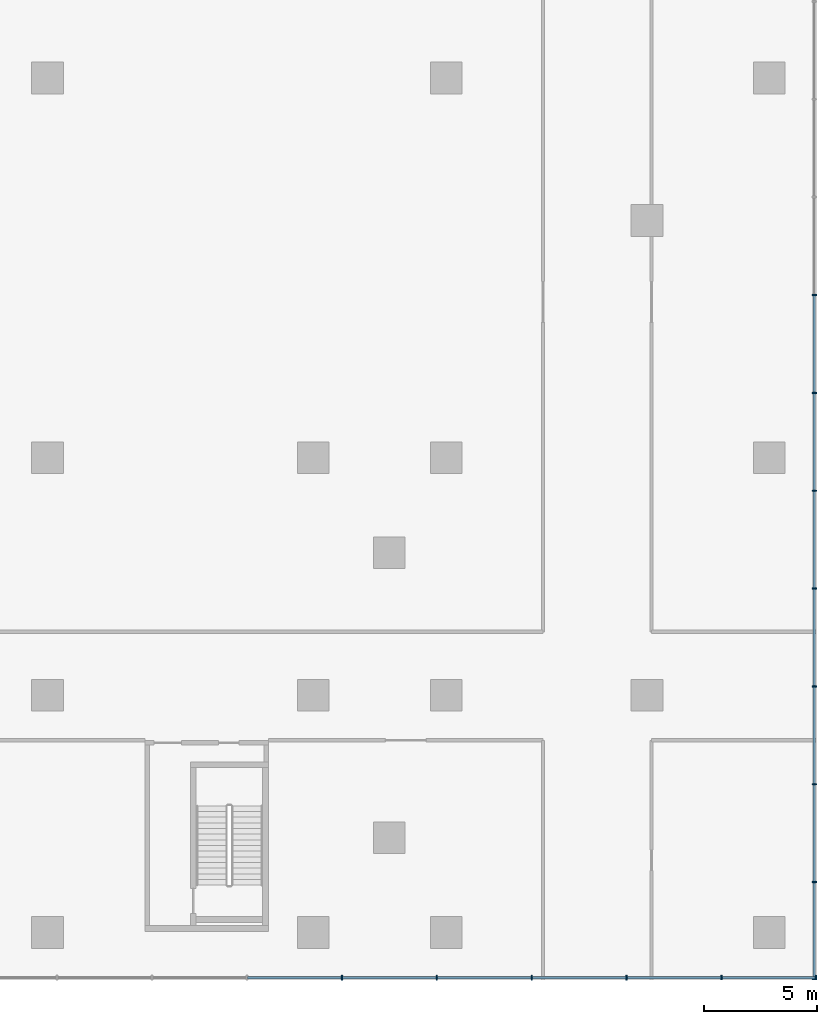
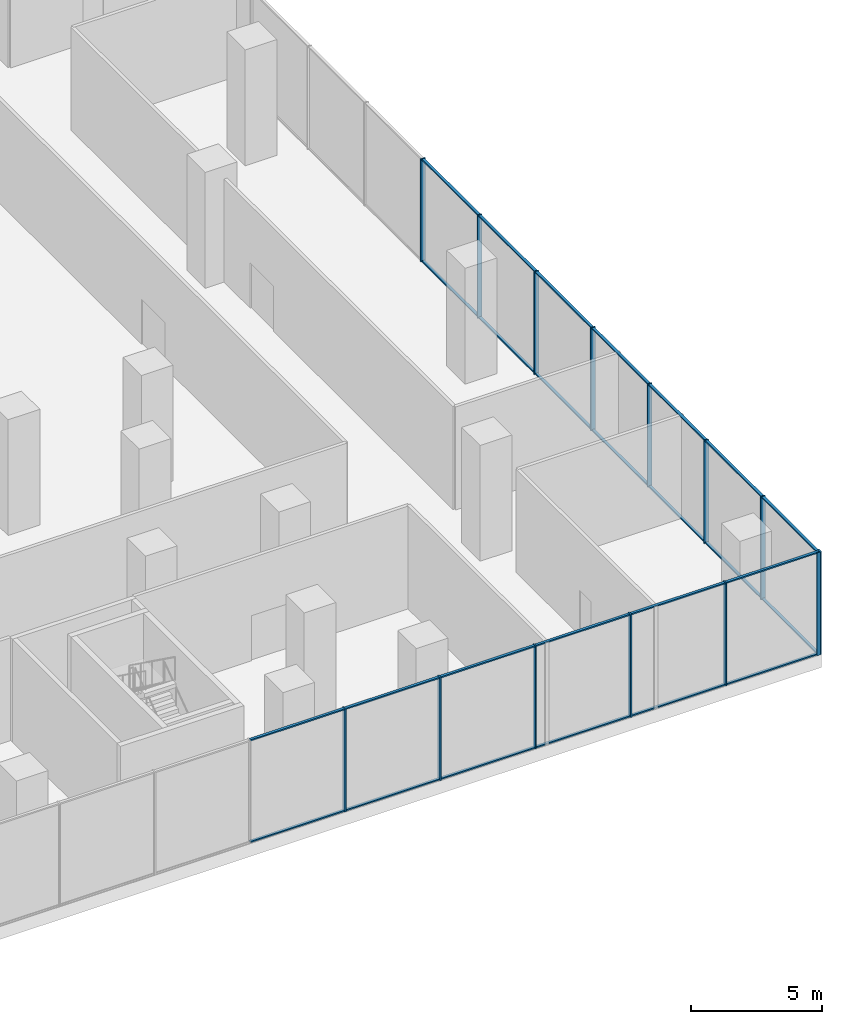
# One storey, part 7 of 22: 40 members, 2 elements without a shape of their own.
"""IFC4 building model written with IfcOpenShell, lengths in metres."""

from ifc_helpers import new_model, si_unit, direction, frame, origin, origin_2d, place, context, subcontext, project, spatial, rectangle, extrude, source, transform, mapped, material, layer, layer_set, material_profile, profile_set, type_object, element, aggregate, save


model = new_model("IFC4")

# Units and contexts
model_context = context("Model", 3, precision=1e-05, world=origin(), true_north=direction((0.0, 1.0)))
body_context = subcontext(model_context, "Body", "Model", "MODEL_VIEW")
ifc_project = project(units=[si_unit("LENGTHUNIT", "METRE"), si_unit("AREAUNIT", "SQUARE_METRE"), si_unit("VOLUMEUNIT", "CUBIC_METRE"), si_unit("PLANEANGLEUNIT", "RADIAN"), si_unit("MASSUNIT", "GRAM", prefix="KILO")], contexts=[model_context])

# Site, building, storey
site_placement = place(None, origin())
site = spatial("IfcSite", under=ifc_project, at=site_placement, CompositionType="ELEMENT")
building_placement = place(site_placement, origin())
building = spatial("IfcBuilding", under=site, at=building_placement, Name="Aurelian Terraces", CompositionType="ELEMENT")
storey_placement = place(building_placement, frame((0.0, 0.0, 7.5)))
storey = spatial("IfcBuildingStorey", under=building, at=storey_placement, Name="L01", CompositionType="ELEMENT", Elevation=7.5)

# Curtain wall, members
ifc_material_1 = material(Name="Anodised aluminium and clear glazing", Category="aluminium")
ifc_layer = layer(ifc_material_1, 0.2)
ifc_layer_set = layer_set([ifc_layer], Name="Podium shopfront curtain wall")
curtain_wall_type = type_object("IfcCurtainWallType", Name="Podium shopfront curtain wall", PredefinedType="NOTDEFINED", material=ifc_layer_set)
curtain_wall_1_placement = place(storey_placement, origin())
curtain_wall_1 = element("IfcCurtainWall", 1, at=curtain_wall_1_placement, inside=storey, type_object=curtain_wall_type, Name="Podium shopfront L01 F02.1", PredefinedType="NOTDEFINED")
ifc_material_2 = material(Name="Anodised aluminium", Category="aluminium")
ifc_material_profile_1 = material_profile(ifc_material_2, rectangle(XDim=0.12, YDim=0.06, at=origin_2d()))
ifc_profile_set_1 = profile_set([ifc_material_profile_1], Name="Anodised aluminium")
member_type_1 = type_object("IfcMemberType", Name="Podium shopfront transom", PredefinedType="USERDEFINED", material=ifc_profile_set_1)
member_1_placement = place(storey_placement, frame((86.0, -2.04, 0.03), z_axis=(0.0, 1.0, 0.0), x_axis=(-1.0, 0.0, 0.0)))
member_1 = element("IfcMember", 2, at=member_1_placement, type_object=member_type_1, Name="CW1 transom 1.1", ObjectType="TRANSOM", PredefinedType="USERDEFINED", context=body_context, shape_type="SweptSolid", body=[
    extrude(rectangle(XDim=0.12, YDim=0.06, at=origin_2d()), origin(), (0.0, 0.0, 1.0), 4.2392),
])
member_2_placement = place(storey_placement, frame((86.0, 2.2592, 0.03), z_axis=(0.0, 1.0, 0.0), x_axis=(-1.0, 0.0, 0.0)))
member_2 = element("IfcMember", 3, at=member_2_placement, type_object=member_type_1, Name="CW1 transom 2.1", ObjectType="TRANSOM", PredefinedType="USERDEFINED", context=body_context, shape_type="SweptSolid", body=[
    extrude(rectangle(XDim=0.12, YDim=0.06, at=origin_2d()), origin(), (0.0, 0.0, 1.0), 4.2693),
])
member_3_placement = place(storey_placement, frame((86.0, 6.5885, 0.03), z_axis=(0.0, 1.0, 0.0), x_axis=(-1.0, 0.0, 0.0)))
member_3 = element("IfcMember", 4, at=member_3_placement, type_object=member_type_1, Name="CW1 transom 3.1", ObjectType="TRANSOM", PredefinedType="USERDEFINED", context=body_context, shape_type="SweptSolid", body=[
    extrude(rectangle(XDim=0.12, YDim=0.06, at=origin_2d()), origin(), (0.0, 0.0, 1.0), 4.2692),
])

curtain_wall_2_placement = place(storey_placement, origin())
curtain_wall_2 = element("IfcCurtainWall", 5, at=curtain_wall_2_placement, inside=storey, type_object=curtain_wall_type, Name="Podium shopfront L01 F01.1", PredefinedType="NOTDEFINED")
ifc_material_profile_2 = material_profile(ifc_material_2, rectangle(XDim=0.2, YDim=0.06, at=origin_2d()))
ifc_profile_set_2 = profile_set([ifc_material_profile_2], Name="Anodised aluminium")
member_type_2 = type_object("IfcMemberType", Name="Podium shopfront mullion", PredefinedType="MULLION", material=ifc_profile_set_2)
shared_shape_1 = source(origin(), body_context, "Body", "SweptSolid", [
    extrude(rectangle(XDim=0.2, YDim=0.06, at=origin_2d()), origin(), (0.0, 0.0, 1.0), 4.8),
])
member_4_placement = place(storey_placement, frame((65.1, -2.0, 0.0), z_axis=(0.0, 0.0, 1.0), x_axis=(0.0, 1.0, 0.0)))
member_4 = element("IfcMember", 6, at=member_4_placement, type_object=member_type_2, Name="CW1 mullion 17", PredefinedType="MULLION", context=body_context, shape_type="MappedRepresentation", body=[
    mapped(shared_shape_1, transform((0.0, 0.0, 0.0), scale=1.0)),
])
member_5_placement = place(storey_placement, frame((69.3, -2.0, 0.0), z_axis=(0.0, 0.0, 1.0), x_axis=(0.0, 1.0, 0.0)))
member_5 = element("IfcMember", 7, at=member_5_placement, type_object=member_type_2, Name="CW1 mullion 18", PredefinedType="MULLION", context=body_context, shape_type="MappedRepresentation", body=[
    mapped(shared_shape_1, transform((0.0, 0.0, 0.0), scale=1.0)),
])
member_6_placement = place(storey_placement, frame((73.5, -2.0, 0.0), z_axis=(0.0, 0.0, 1.0), x_axis=(0.0, 1.0, 0.0)))
member_6 = element("IfcMember", 8, at=member_6_placement, type_object=member_type_2, Name="CW1 mullion 19", PredefinedType="MULLION", context=body_context, shape_type="MappedRepresentation", body=[
    mapped(shared_shape_1, transform((0.0, 0.0, 0.0), scale=1.0)),
])
member_7_placement = place(storey_placement, frame((77.7, -2.0, 0.0), z_axis=(0.0, 0.0, 1.0), x_axis=(0.0, 1.0, 0.0)))
member_7 = element("IfcMember", 9, at=member_7_placement, type_object=member_type_2, Name="CW1 mullion 20", PredefinedType="MULLION", context=body_context, shape_type="MappedRepresentation", body=[
    mapped(shared_shape_1, transform((0.0, 0.0, 0.0), scale=1.0)),
])
member_8_placement = place(storey_placement, frame((81.9, -2.0, 0.0), z_axis=(0.0, 0.0, 1.0), x_axis=(0.0, 1.0, 0.0)))
member_8 = element("IfcMember", 10, at=member_8_placement, type_object=member_type_2, Name="CW1 mullion 21", PredefinedType="MULLION", context=body_context, shape_type="MappedRepresentation", body=[
    mapped(shared_shape_1, transform((0.0, 0.0, 0.0), scale=1.0)),
])
member_9_placement = place(storey_placement, frame((86.07, -2.0, 0.0), z_axis=(0.0, 0.0, 1.0), x_axis=(0.0, 1.0, 0.0)))
member_9 = element("IfcMember", 11, at=member_9_placement, type_object=member_type_2, Name="CW1 mullion 22", PredefinedType="MULLION", context=body_context, shape_type="MappedRepresentation", body=[
    mapped(shared_shape_1, transform((0.0, 0.0, 0.0), scale=1.0)),
])

# Member
member_10_placement = place(storey_placement, frame((86.0, -2.07, 0.0), z_axis=(0.0, 0.0, 1.0), x_axis=(-1.0, 0.0, 0.0)))
member_10 = element("IfcMember", 12, at=member_10_placement, type_object=member_type_2, Name="CW1 mullion 1", PredefinedType="MULLION", context=body_context, shape_type="MappedRepresentation", body=[
    mapped(shared_shape_1, transform((0.0, 0.0, 0.0), scale=1.0)),
])

member_11_placement = place(storey_placement, frame((86.0, 2.2292, 0.0), z_axis=(0.0, 0.0, 1.0), x_axis=(-1.0, 0.0, 0.0)))
member_11 = element("IfcMember", 13, at=member_11_placement, type_object=member_type_2, Name="CW1 mullion 2", PredefinedType="MULLION", context=body_context, shape_type="MappedRepresentation", body=[
    mapped(shared_shape_1, transform((0.0, 0.0, 0.0), scale=1.0)),
])

member_12_placement = place(storey_placement, frame((86.0, 6.5585, 0.0), z_axis=(0.0, 0.0, 1.0), x_axis=(-1.0, 0.0, 0.0)))
member_12 = element("IfcMember", 14, at=member_12_placement, type_object=member_type_2, Name="CW1 mullion 3", PredefinedType="MULLION", context=body_context, shape_type="MappedRepresentation", body=[
    mapped(shared_shape_1, transform((0.0, 0.0, 0.0), scale=1.0)),
])

member_13_placement = place(storey_placement, frame((86.0, 10.8877, 0.0), z_axis=(0.0, 0.0, 1.0), x_axis=(-1.0, 0.0, 0.0)))
member_13 = element("IfcMember", 15, at=member_13_placement, type_object=member_type_2, Name="CW1 mullion 4", PredefinedType="MULLION", context=body_context, shape_type="MappedRepresentation", body=[
    mapped(shared_shape_1, transform((0.0, 0.0, 0.0), scale=1.0)),
])

member_14_placement = place(storey_placement, frame((86.0, 15.2169, 0.0), z_axis=(0.0, 0.0, 1.0), x_axis=(-1.0, 0.0, 0.0)))
member_14 = element("IfcMember", 16, at=member_14_placement, type_object=member_type_2, Name="CW1 mullion 5", PredefinedType="MULLION", context=body_context, shape_type="MappedRepresentation", body=[
    mapped(shared_shape_1, transform((0.0, 0.0, 0.0), scale=1.0)),
])

member_15_placement = place(storey_placement, frame((86.0, 19.5462, 0.0), z_axis=(0.0, 0.0, 1.0), x_axis=(-1.0, 0.0, 0.0)))
member_15 = element("IfcMember", 17, at=member_15_placement, type_object=member_type_2, Name="CW1 mullion 6", PredefinedType="MULLION", context=body_context, shape_type="MappedRepresentation", body=[
    mapped(shared_shape_1, transform((0.0, 0.0, 0.0), scale=1.0)),
])

member_16_placement = place(storey_placement, frame((86.0, 23.8754, 0.0), z_axis=(0.0, 0.0, 1.0), x_axis=(-1.0, 0.0, 0.0)))
member_16 = element("IfcMember", 18, at=member_16_placement, type_object=member_type_2, Name="CW1 mullion 7", PredefinedType="MULLION", context=body_context, shape_type="MappedRepresentation", body=[
    mapped(shared_shape_1, transform((0.0, 0.0, 0.0), scale=1.0)),
])

member_17_placement = place(storey_placement, frame((86.0, 28.2046, 0.0), z_axis=(0.0, 0.0, 1.0), x_axis=(-1.0, 0.0, 0.0)))
member_17 = element("IfcMember", 19, at=member_17_placement, type_object=member_type_2, Name="CW1 mullion 8", PredefinedType="MULLION", context=body_context, shape_type="MappedRepresentation", body=[
    mapped(shared_shape_1, transform((0.0, 0.0, 0.0), scale=1.0)),
])

shared_shape_2 = source(origin(), body_context, "Body", "SweptSolid", [
    extrude(rectangle(XDim=0.12, YDim=0.06, at=origin_2d()), origin(), (0.0, 0.0, 1.0), 4.11),
])
member_18_placement = place(storey_placement, frame((81.93, -2.0, 0.03), z_axis=(1.0, 0.0, 0.0), x_axis=(0.0, 1.0, 0.0)))
member_18 = element("IfcMember", 20, at=member_18_placement, type_object=member_type_1, Name="CW1 transom 21.1", ObjectType="TRANSOM", PredefinedType="USERDEFINED", context=body_context, shape_type="MappedRepresentation", body=[
    mapped(shared_shape_2, transform((0.0, 0.0, 0.0), scale=1.0)),
])

member_19_placement = place(storey_placement, frame((81.93, -2.0, 4.77), z_axis=(1.0, 0.0, 0.0), x_axis=(0.0, 1.0, 0.0)))
member_19 = element("IfcMember", 21, at=member_19_placement, type_object=member_type_1, Name="CW1 transom 21.2", ObjectType="TRANSOM", PredefinedType="USERDEFINED", context=body_context, shape_type="MappedRepresentation", body=[
    mapped(shared_shape_2, transform((0.0, 0.0, 0.0), scale=1.0)),
])

shared_shape_3 = source(origin(), body_context, "Body", "SweptSolid", [
    extrude(rectangle(XDim=0.12, YDim=0.06, at=origin_2d()), origin(), (0.0, 0.0, 1.0), 4.14),
])
member_20_placement = place(storey_placement, frame((60.93, -2.0, 0.03), z_axis=(1.0, 0.0, 0.0), x_axis=(0.0, 1.0, 0.0)))
member_20 = element("IfcMember", 22, at=member_20_placement, type_object=member_type_1, Name="CW1 transom 16.1", ObjectType="TRANSOM", PredefinedType="USERDEFINED", context=body_context, shape_type="MappedRepresentation", body=[
    mapped(shared_shape_3, transform((0.0, 0.0, 0.0), scale=1.0)),
])

member_21_placement = place(storey_placement, frame((60.93, -2.0, 4.77), z_axis=(1.0, 0.0, 0.0), x_axis=(0.0, 1.0, 0.0)))
member_21 = element("IfcMember", 23, at=member_21_placement, type_object=member_type_1, Name="CW1 transom 16.2", ObjectType="TRANSOM", PredefinedType="USERDEFINED", context=body_context, shape_type="MappedRepresentation", body=[
    mapped(shared_shape_3, transform((0.0, 0.0, 0.0), scale=1.0)),
])

member_22_placement = place(storey_placement, frame((65.13, -2.0, 0.03), z_axis=(1.0, 0.0, 0.0), x_axis=(0.0, 1.0, 0.0)))
member_22 = element("IfcMember", 24, at=member_22_placement, type_object=member_type_1, Name="CW1 transom 17.1", ObjectType="TRANSOM", PredefinedType="USERDEFINED", context=body_context, shape_type="MappedRepresentation", body=[
    mapped(shared_shape_3, transform((0.0, 0.0, 0.0), scale=1.0)),
])

member_23_placement = place(storey_placement, frame((65.13, -2.0, 4.77), z_axis=(1.0, 0.0, 0.0), x_axis=(0.0, 1.0, 0.0)))
member_23 = element("IfcMember", 25, at=member_23_placement, type_object=member_type_1, Name="CW1 transom 17.2", ObjectType="TRANSOM", PredefinedType="USERDEFINED", context=body_context, shape_type="MappedRepresentation", body=[
    mapped(shared_shape_3, transform((0.0, 0.0, 0.0), scale=1.0)),
])

member_24_placement = place(storey_placement, frame((69.33, -2.0, 0.03), z_axis=(1.0, 0.0, 0.0), x_axis=(0.0, 1.0, 0.0)))
member_24 = element("IfcMember", 26, at=member_24_placement, type_object=member_type_1, Name="CW1 transom 18.1", ObjectType="TRANSOM", PredefinedType="USERDEFINED", context=body_context, shape_type="MappedRepresentation", body=[
    mapped(shared_shape_3, transform((0.0, 0.0, 0.0), scale=1.0)),
])

member_25_placement = place(storey_placement, frame((69.33, -2.0, 4.77), z_axis=(1.0, 0.0, 0.0), x_axis=(0.0, 1.0, 0.0)))
member_25 = element("IfcMember", 27, at=member_25_placement, type_object=member_type_1, Name="CW1 transom 18.2", ObjectType="TRANSOM", PredefinedType="USERDEFINED", context=body_context, shape_type="MappedRepresentation", body=[
    mapped(shared_shape_3, transform((0.0, 0.0, 0.0), scale=1.0)),
])

member_26_placement = place(storey_placement, frame((73.53, -2.0, 0.03), z_axis=(1.0, 0.0, 0.0), x_axis=(0.0, 1.0, 0.0)))
member_26 = element("IfcMember", 28, at=member_26_placement, type_object=member_type_1, Name="CW1 transom 19.1", ObjectType="TRANSOM", PredefinedType="USERDEFINED", context=body_context, shape_type="MappedRepresentation", body=[
    mapped(shared_shape_3, transform((0.0, 0.0, 0.0), scale=1.0)),
])

member_27_placement = place(storey_placement, frame((73.53, -2.0, 4.77), z_axis=(1.0, 0.0, 0.0), x_axis=(0.0, 1.0, 0.0)))
member_27 = element("IfcMember", 29, at=member_27_placement, type_object=member_type_1, Name="CW1 transom 19.2", ObjectType="TRANSOM", PredefinedType="USERDEFINED", context=body_context, shape_type="MappedRepresentation", body=[
    mapped(shared_shape_3, transform((0.0, 0.0, 0.0), scale=1.0)),
])

member_28_placement = place(storey_placement, frame((77.73, -2.0, 0.03), z_axis=(1.0, 0.0, 0.0), x_axis=(0.0, 1.0, 0.0)))
member_28 = element("IfcMember", 30, at=member_28_placement, type_object=member_type_1, Name="CW1 transom 20.1", ObjectType="TRANSOM", PredefinedType="USERDEFINED", context=body_context, shape_type="MappedRepresentation", body=[
    mapped(shared_shape_3, transform((0.0, 0.0, 0.0), scale=1.0)),
])

member_29_placement = place(storey_placement, frame((77.73, -2.0, 4.77), z_axis=(1.0, 0.0, 0.0), x_axis=(0.0, 1.0, 0.0)))
member_29 = element("IfcMember", 31, at=member_29_placement, type_object=member_type_1, Name="CW1 transom 20.2", ObjectType="TRANSOM", PredefinedType="USERDEFINED", context=body_context, shape_type="MappedRepresentation", body=[
    mapped(shared_shape_3, transform((0.0, 0.0, 0.0), scale=1.0)),
])

aggregate(curtain_wall_2, [member_4, member_5, member_6, member_7, member_8, member_9, member_20, member_21, member_22, member_23, member_24, member_25, member_26, member_27, member_28, member_29, member_18, member_19])

shared_shape_4 = source(origin(), body_context, "Body", "SweptSolid", [
    extrude(rectangle(XDim=0.12, YDim=0.06, at=origin_2d()), origin(), (0.0, 0.0, 1.0), 4.2392),
])
member_30_placement = place(storey_placement, frame((86.0, -2.04, 4.77), z_axis=(0.0, 1.0, 0.0), x_axis=(-1.0, 0.0, 0.0)))
member_30 = element("IfcMember", 32, at=member_30_placement, type_object=member_type_1, Name="CW1 transom 1.2", ObjectType="TRANSOM", PredefinedType="USERDEFINED", context=body_context, shape_type="MappedRepresentation", body=[
    mapped(shared_shape_4, transform((0.0, 0.0, 0.0), scale=1.0)),
])

shared_shape_5 = source(origin(), body_context, "Body", "SweptSolid", [
    extrude(rectangle(XDim=0.12, YDim=0.06, at=origin_2d()), origin(), (0.0, 0.0, 1.0), 4.2693),
])
member_31_placement = place(storey_placement, frame((86.0, 2.2592, 4.77), z_axis=(0.0, 1.0, 0.0), x_axis=(-1.0, 0.0, 0.0)))
member_31 = element("IfcMember", 33, at=member_31_placement, type_object=member_type_1, Name="CW1 transom 2.2", ObjectType="TRANSOM", PredefinedType="USERDEFINED", context=body_context, shape_type="MappedRepresentation", body=[
    mapped(shared_shape_5, transform((0.0, 0.0, 0.0), scale=1.0)),
])

member_32_placement = place(storey_placement, frame((86.0, 15.2469, 0.03), z_axis=(0.0, 1.0, 0.0), x_axis=(-1.0, 0.0, 0.0)))
member_32 = element("IfcMember", 34, at=member_32_placement, type_object=member_type_1, Name="CW1 transom 5.1", ObjectType="TRANSOM", PredefinedType="USERDEFINED", context=body_context, shape_type="MappedRepresentation", body=[
    mapped(shared_shape_5, transform((0.0, 0.0, 0.0), scale=1.0)),
])

member_33_placement = place(storey_placement, frame((86.0, 15.2469, 4.77), z_axis=(0.0, 1.0, 0.0), x_axis=(-1.0, 0.0, 0.0)))
member_33 = element("IfcMember", 35, at=member_33_placement, type_object=member_type_1, Name="CW1 transom 5.2", ObjectType="TRANSOM", PredefinedType="USERDEFINED", context=body_context, shape_type="MappedRepresentation", body=[
    mapped(shared_shape_5, transform((0.0, 0.0, 0.0), scale=1.0)),
])

shared_shape_6 = source(origin(), body_context, "Body", "SweptSolid", [
    extrude(rectangle(XDim=0.12, YDim=0.06, at=origin_2d()), origin(), (0.0, 0.0, 1.0), 4.2692),
])
member_34_placement = place(storey_placement, frame((86.0, 6.5885, 4.77), z_axis=(0.0, 1.0, 0.0), x_axis=(-1.0, 0.0, 0.0)))
member_34 = element("IfcMember", 36, at=member_34_placement, type_object=member_type_1, Name="CW1 transom 3.2", ObjectType="TRANSOM", PredefinedType="USERDEFINED", context=body_context, shape_type="MappedRepresentation", body=[
    mapped(shared_shape_6, transform((0.0, 0.0, 0.0), scale=1.0)),
])

member_35_placement = place(storey_placement, frame((86.0, 10.9177, 0.03), z_axis=(0.0, 1.0, 0.0), x_axis=(-1.0, 0.0, 0.0)))
member_35 = element("IfcMember", 37, at=member_35_placement, type_object=member_type_1, Name="CW1 transom 4.1", ObjectType="TRANSOM", PredefinedType="USERDEFINED", context=body_context, shape_type="MappedRepresentation", body=[
    mapped(shared_shape_6, transform((0.0, 0.0, 0.0), scale=1.0)),
])

member_36_placement = place(storey_placement, frame((86.0, 10.9177, 4.77), z_axis=(0.0, 1.0, 0.0), x_axis=(-1.0, 0.0, 0.0)))
member_36 = element("IfcMember", 38, at=member_36_placement, type_object=member_type_1, Name="CW1 transom 4.2", ObjectType="TRANSOM", PredefinedType="USERDEFINED", context=body_context, shape_type="MappedRepresentation", body=[
    mapped(shared_shape_6, transform((0.0, 0.0, 0.0), scale=1.0)),
])

member_37_placement = place(storey_placement, frame((86.0, 19.5762, 0.03), z_axis=(0.0, 1.0, 0.0), x_axis=(-1.0, 0.0, 0.0)))
member_37 = element("IfcMember", 39, at=member_37_placement, type_object=member_type_1, Name="CW1 transom 6.1", ObjectType="TRANSOM", PredefinedType="USERDEFINED", context=body_context, shape_type="MappedRepresentation", body=[
    mapped(shared_shape_6, transform((0.0, 0.0, 0.0), scale=1.0)),
])

member_38_placement = place(storey_placement, frame((86.0, 19.5762, 4.77), z_axis=(0.0, 1.0, 0.0), x_axis=(-1.0, 0.0, 0.0)))
member_38 = element("IfcMember", 40, at=member_38_placement, type_object=member_type_1, Name="CW1 transom 6.2", ObjectType="TRANSOM", PredefinedType="USERDEFINED", context=body_context, shape_type="MappedRepresentation", body=[
    mapped(shared_shape_6, transform((0.0, 0.0, 0.0), scale=1.0)),
])

member_39_placement = place(storey_placement, frame((86.0, 23.9054, 0.03), z_axis=(0.0, 1.0, 0.0), x_axis=(-1.0, 0.0, 0.0)))
member_39 = element("IfcMember", 41, at=member_39_placement, type_object=member_type_1, Name="CW1 transom 7.1", ObjectType="TRANSOM", PredefinedType="USERDEFINED", context=body_context, shape_type="MappedRepresentation", body=[
    mapped(shared_shape_6, transform((0.0, 0.0, 0.0), scale=1.0)),
])

member_40_placement = place(storey_placement, frame((86.0, 23.9054, 4.77), z_axis=(0.0, 1.0, 0.0), x_axis=(-1.0, 0.0, 0.0)))
member_40 = element("IfcMember", 42, at=member_40_placement, type_object=member_type_1, Name="CW1 transom 7.2", ObjectType="TRANSOM", PredefinedType="USERDEFINED", context=body_context, shape_type="MappedRepresentation", body=[
    mapped(shared_shape_6, transform((0.0, 0.0, 0.0), scale=1.0)),
])

aggregate(curtain_wall_1, [member_10, member_11, member_12, member_13, member_14, member_15, member_16, member_17, member_1, member_30, member_2, member_31, member_3, member_34, member_35, member_36, member_32, member_33, member_37, member_38, member_39, member_40])

save(model, "model.ifc")
